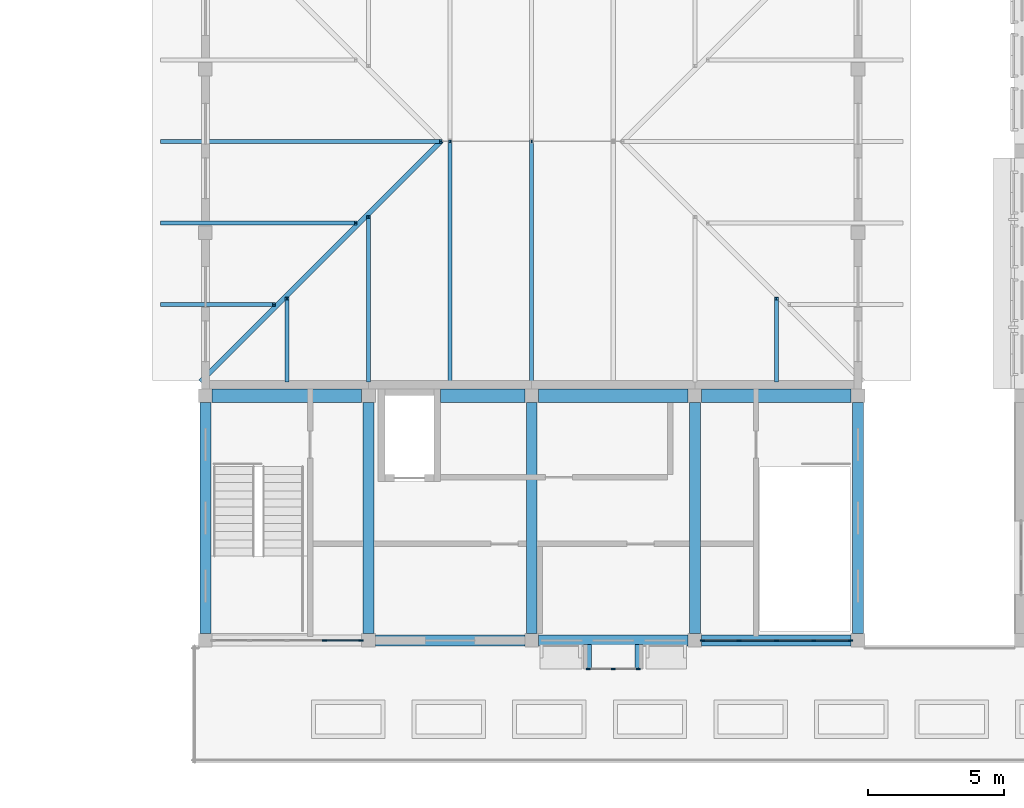
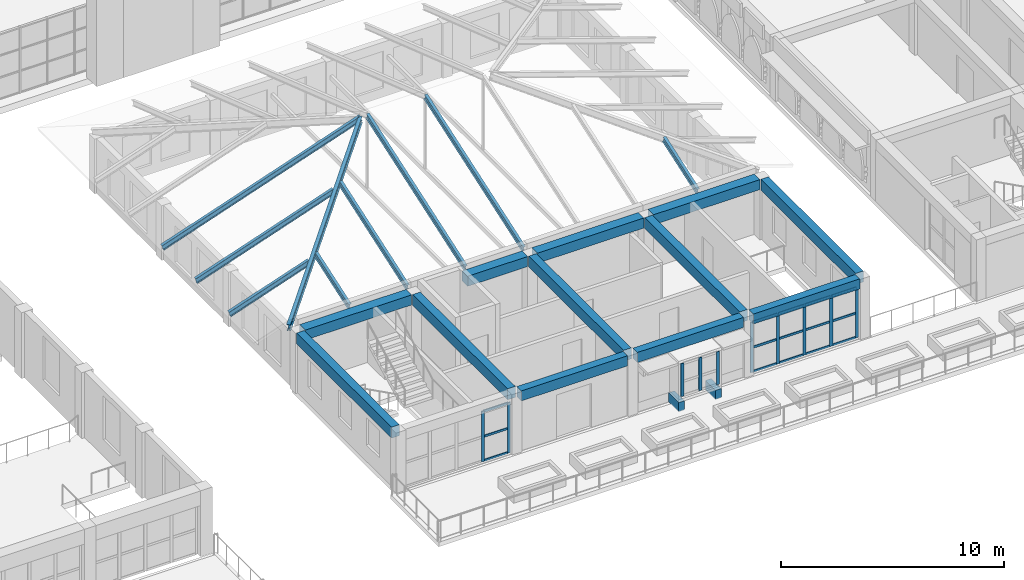
# One storey, part 8 of 82: 34 members, 14 beams, 3 elements without a shape of their own.
"""IFC4 building model written with IfcOpenShell, lengths in metres."""

from ifc_helpers import new_model, si_unit, direction, frame, origin, origin_2d, place, context, subcontext, project, spatial, rectangle, i_section, extrude, material, material_profile, profile_set, type_object, element, aggregate, save


model = new_model("IFC4")

# Units and contexts
model_context = context("Model", 3, precision=1e-05, world=origin(), true_north=direction((0.0, 1.0)))
body_context = subcontext(model_context, "Body", "Model", "MODEL_VIEW")
ifc_project = project(units=[si_unit("LENGTHUNIT", "METRE"), si_unit("AREAUNIT", "SQUARE_METRE"), si_unit("VOLUMEUNIT", "CUBIC_METRE"), si_unit("PLANEANGLEUNIT", "RADIAN"), si_unit("MASSUNIT", "GRAM", prefix="KILO")], contexts=[model_context])

# Site, building, storey
site_placement = place(None, origin())
site = spatial("IfcSite", under=ifc_project, at=site_placement, CompositionType="ELEMENT")
building_placement = place(site_placement, origin())
building = spatial("IfcBuilding", under=site, at=building_placement, Name="Elbe Cascade School", CompositionType="ELEMENT")
storey_placement = place(building_placement, frame((0.0, 0.0, 4.5)))
storey = spatial("IfcBuildingStorey", under=building, at=storey_placement, Name="L01", CompositionType="ELEMENT", Elevation=4.5)

# Beams
ifc_material_1 = material(Name="Concrete C30/37", Category="concrete")
ifc_material_profile_1 = material_profile(ifc_material_1, rectangle(XDim=0.39990234375, YDim=0.550048828125, at=origin_2d()), Name="RC 400x550")
ifc_profile_set_1 = profile_set([ifc_material_profile_1], Name="Concrete C30/37")
beam_type_1 = type_object("IfcBeamType", Name="Assembly hall beam RC 400x550", PredefinedType="BEAM", material=ifc_profile_set_1)
for number, where, z_axis, x_axis, name in (
    (1, (45.25, 6.0, 3.02490234375), (1.0, 0.0, 0.0), (0.0, 1.0, 0.0), "Assembly hall beam RC 400x550 B21"),
    (2, (51.25, 6.0, 3.02490234375), (1.0, 0.0, 0.0), (0.0, 1.0, 0.0), "Assembly hall beam RC 400x550 B21"),
    (3, (57.25, 6.0, 3.02490234375), (1.0, 0.0, 0.0), (0.0, 1.0, 0.0), "Assembly hall beam RC 400x550 B21"),
):
    element("IfcBeam", number, at=place(storey_placement, frame(where, z_axis=z_axis, x_axis=x_axis)), inside=storey, type_object=beam_type_1, Name=name, PredefinedType="BEAM", context=body_context, shape_type="SweptSolid", body=[
        extrude(rectangle(XDim=0.39990234375, YDim=0.550048828125, at=origin_2d()), origin(), (0.0, 0.0, 1.0), 5.5),
    ])
ifc_material_2 = material(Name="Concrete C30/37", Category="concrete")
ifc_material_profile_2 = material_profile(ifc_material_2, rectangle(XDim=0.39990234375, YDim=0.60009765625, at=origin_2d()), Name="RC 400x600")
ifc_profile_set_2 = profile_set([ifc_material_profile_2], Name="Concrete C30/37")
beam_type_2 = type_object("IfcBeamType", Name="Assembly hall beam RC 400x600", PredefinedType="BEAM", material=ifc_profile_set_2)
for number, where, z_axis, x_axis, name in (
    (4, (39.0, 6.25, 3.0), (0.0, 1.0, 0.0), (-1.0, 0.0, 0.0), "Assembly hall beam RC 400x600 B18"),
    (5, (45.0, 6.25, 3.0), (0.0, 1.0, 0.0), (-1.0, 0.0, 0.0), "Assembly hall beam RC 400x600 B18"),
    (6, (51.0, 6.25, 3.0), (0.0, 1.0, 0.0), (-1.0, 0.0, 0.0), "Assembly hall beam RC 400x600 B18"),
    (7, (57.0, 6.25, 3.0), (0.0, 1.0, 0.0), (-1.0, 0.0, 0.0), "Assembly hall beam RC 400x600 B18"),
    (8, (63.0, 6.25, 3.0), (0.0, 1.0, 0.0), (-1.0, 0.0, 0.0), "Assembly hall beam RC 400x600 B18"),
):
    element("IfcBeam", number, at=place(storey_placement, frame(where, z_axis=z_axis, x_axis=x_axis)), inside=storey, type_object=beam_type_2, Name=name, PredefinedType="BEAM", context=body_context, shape_type="SweptSolid", body=[
        extrude(rectangle(XDim=0.39990234375, YDim=0.60009765625, at=origin_2d()), origin(), (0.0, 0.0, 1.0), 8.5),
    ])
ifc_material_3 = material(Name="Concrete C30/37", Category="concrete")
ifc_material_profile_3 = material_profile(ifc_material_3, rectangle(XDim=0.5, YDim=0.550048828125, at=origin_2d()), Name="RC 500x550")
ifc_profile_set_3 = profile_set([ifc_material_profile_3], Name="Concrete C30/37")
beam_type_3 = type_object("IfcBeamType", Name="Assembly hall beam RC 500x550", PredefinedType="BEAM", material=ifc_profile_set_3)
beam_1_placement = place(storey_placement, frame((39.25, 15.0, 3.02490234375), z_axis=(1.0, 0.0, 0.0), x_axis=(0.0, 1.0, 0.0)))
element("IfcBeam", 9, at=beam_1_placement, inside=storey, type_object=beam_type_3, Name="Assembly hall beam RC 500x550 B22", PredefinedType="BEAM", context=body_context, shape_type="SweptSolid", body=[
    extrude(rectangle(XDim=0.5, YDim=0.550048828125, at=origin_2d()), origin(), (0.0, 0.0, 1.0), 5.5),
])
beam_2_placement = place(storey_placement, frame((47.64990234375, 15.0, 3.02490234375), z_axis=(1.0, 0.0, 0.0), x_axis=(0.0, 1.0, 0.0)))
element("IfcBeam", 10, at=beam_2_placement, inside=storey, type_object=beam_type_3, Name="Assembly hall beam RC 500x550 B22", PredefinedType="BEAM", context=body_context, shape_type="SweptSolid", body=[
    extrude(rectangle(XDim=0.5, YDim=0.550048828125, at=origin_2d()), origin(), (0.0, 0.0, 1.0), 3.10009765625),
])
for number, where, z_axis, x_axis, name in (
    (11, (51.25, 15.0, 3.02490234375), (1.0, 0.0, 0.0), (0.0, 1.0, 0.0), "Assembly hall beam RC 500x550 B22"),
    (12, (57.25, 15.0, 3.02490234375), (1.0, 0.0, 0.0), (0.0, 1.0, 0.0), "Assembly hall beam RC 500x550 B22"),
):
    element("IfcBeam", number, at=place(storey_placement, frame(where, z_axis=z_axis, x_axis=x_axis)), inside=storey, type_object=beam_type_3, Name=name, PredefinedType="BEAM", context=body_context, shape_type="SweptSolid", body=[
        extrude(rectangle(XDim=0.5, YDim=0.550048828125, at=origin_2d()), origin(), (0.0, 0.0, 1.0), 5.5),
    ])

# Curtain wall, members
ifc_material_4 = material(Name="Cafe curtain wall")
curtain_wall_type_1 = type_object("IfcCurtainWallType", Name="Cafe curtain wall", PredefinedType="NOTDEFINED", material=ifc_material_4)
curtain_wall_1_placement = place(storey_placement, origin())
curtain_wall_1 = element("IfcCurtainWall", 13, at=curtain_wall_1_placement, inside=storey, type_object=curtain_wall_type_1, Name="Curtain wall CW1 DI.L01.cw.s0", PredefinedType="NOTDEFINED")
ifc_material_5 = material(Name="Aluminium - bronze anodised", Category="aluminium")
ifc_material_profile_4 = material_profile(ifc_material_5, rectangle(XDim=0.06005859375, YDim=0.159912109375, at=origin_2d()), Name="RECT 60x160")
ifc_profile_set_4 = profile_set([ifc_material_profile_4], Name="Aluminium - bronze anodised")
member_type_1 = type_object("IfcMemberType", Name="Cafe curtain wall mullion 60 x 160", PredefinedType="MULLION", material=ifc_profile_set_4)
member_1_placement = place(storey_placement, frame((43.375, 6.0, 0.0), z_axis=(0.0, 0.0, 1.0), x_axis=(0.0, 1.0, 0.0)))
member_1 = element("IfcMember", 14, at=member_1_placement, type_object=member_type_1, Name="CW1 mullion 4", PredefinedType="MULLION", context=body_context, shape_type="SweptSolid", body=[
    extrude(rectangle(XDim=0.06005859375, YDim=0.159912109375, at=origin_2d()), origin(), (0.0, 0.0, 1.0), 2.75),
])
member_2_placement = place(storey_placement, frame((44.719970703125, 6.0, 0.0), z_axis=(0.0, 0.0, 1.0), x_axis=(0.0, 1.0, 0.0)))
member_2 = element("IfcMember", 15, at=member_2_placement, type_object=member_type_1, Name="CW1 mullion 5", PredefinedType="MULLION", context=body_context, shape_type="SweptSolid", body=[
    extrude(rectangle(XDim=0.06005859375, YDim=0.159912109375, at=origin_2d()), origin(), (0.0, 0.0, 1.0), 2.75),
])

curtain_wall_2_placement = place(storey_placement, origin())
curtain_wall_2 = element("IfcCurtainWall", 16, at=curtain_wall_2_placement, inside=storey, type_object=curtain_wall_type_1, Name="Curtain wall CW1 DI.L01.cw.s3", PredefinedType="NOTDEFINED")
member_3_placement = place(storey_placement, frame((57.280029296875, 6.0, 0.0), z_axis=(0.0, 0.0, 1.0), x_axis=(0.0, 1.0, 0.0)))
member_3 = element("IfcMember", 17, at=member_3_placement, type_object=member_type_1, Name="CW1 mullion 1", PredefinedType="MULLION", context=body_context, shape_type="SweptSolid", body=[
    extrude(rectangle(XDim=0.06005859375, YDim=0.159912109375, at=origin_2d()), origin(), (0.0, 0.0, 1.0), 2.75),
])
member_4_placement = place(storey_placement, frame((58.625, 6.0, 0.0), z_axis=(0.0, 0.0, 1.0), x_axis=(0.0, 1.0, 0.0)))
member_4 = element("IfcMember", 18, at=member_4_placement, type_object=member_type_1, Name="CW1 mullion 2", PredefinedType="MULLION", context=body_context, shape_type="SweptSolid", body=[
    extrude(rectangle(XDim=0.06005859375, YDim=0.159912109375, at=origin_2d()), origin(), (0.0, 0.0, 1.0), 2.75),
])
member_5_placement = place(storey_placement, frame((60.0, 6.0, 0.0), z_axis=(0.0, 0.0, 1.0), x_axis=(0.0, 1.0, 0.0)))
member_5 = element("IfcMember", 19, at=member_5_placement, type_object=member_type_1, Name="CW1 mullion 3", PredefinedType="MULLION", context=body_context, shape_type="SweptSolid", body=[
    extrude(rectangle(XDim=0.06005859375, YDim=0.159912109375, at=origin_2d()), origin(), (0.0, 0.0, 1.0), 2.75),
])
member_6_placement = place(storey_placement, frame((61.375, 6.0, 0.0), z_axis=(0.0, 0.0, 1.0), x_axis=(0.0, 1.0, 0.0)))
member_6 = element("IfcMember", 20, at=member_6_placement, type_object=member_type_1, Name="CW1 mullion 4", PredefinedType="MULLION", context=body_context, shape_type="SweptSolid", body=[
    extrude(rectangle(XDim=0.06005859375, YDim=0.159912109375, at=origin_2d()), origin(), (0.0, 0.0, 1.0), 2.75),
])
member_7_placement = place(storey_placement, frame((62.719970703125, 6.0, 0.0), z_axis=(0.0, 0.0, 1.0), x_axis=(0.0, 1.0, 0.0)))
member_7 = element("IfcMember", 21, at=member_7_placement, type_object=member_type_1, Name="CW1 mullion 5", PredefinedType="MULLION", context=body_context, shape_type="SweptSolid", body=[
    extrude(rectangle(XDim=0.06005859375, YDim=0.159912109375, at=origin_2d()), origin(), (0.0, 0.0, 1.0), 2.75),
])

# Member
ifc_material_6 = material(Name="Aluminium - bronze anodised", Category="aluminium")
ifc_material_profile_5 = material_profile(ifc_material_6, rectangle(XDim=0.06005859375, YDim=0.1201171875, at=origin_2d()), Name="RECT 60x120")
ifc_profile_set_5 = profile_set([ifc_material_profile_5], Name="Aluminium - bronze anodised")
member_type_2 = type_object("IfcMemberType", Name="Cafe curtain wall transom 60 x 120", PredefinedType="USERDEFINED", material=ifc_profile_set_5)
member_8_placement = place(storey_placement, frame((43.405029296875, 6.0, 0.030029296875), z_axis=(1.0, 0.0, 0.0), x_axis=(0.0, 1.0, 0.0)))
member_8 = element("IfcMember", 22, at=member_8_placement, type_object=member_type_2, Name="CW1 transom 4.1", ObjectType="TRANSOM", PredefinedType="USERDEFINED", context=body_context, shape_type="SweptSolid", body=[
    extrude(rectangle(XDim=0.06005859375, YDim=0.1201171875, at=origin_2d()), origin(), (0.0, 0.0, 1.0), 1.284912109375),
])

member_9_placement = place(storey_placement, frame((43.405029296875, 6.0, 1.35009765625), z_axis=(1.0, 0.0, 0.0), x_axis=(0.0, 1.0, 0.0)))
member_9 = element("IfcMember", 23, at=member_9_placement, type_object=member_type_2, Name="CW1 transom 4.2", ObjectType="TRANSOM", PredefinedType="USERDEFINED", context=body_context, shape_type="SweptSolid", body=[
    extrude(rectangle(XDim=0.06005859375, YDim=0.1201171875, at=origin_2d()), origin(), (0.0, 0.0, 1.0), 1.284912109375),
])

member_10_placement = place(storey_placement, frame((43.405029296875, 6.0, 2.719970703125), z_axis=(1.0, 0.0, 0.0), x_axis=(0.0, 1.0, 0.0)))
member_10 = element("IfcMember", 24, at=member_10_placement, type_object=member_type_2, Name="CW1 transom 4.3", ObjectType="TRANSOM", PredefinedType="USERDEFINED", context=body_context, shape_type="SweptSolid", body=[
    extrude(rectangle(XDim=0.06005859375, YDim=0.1201171875, at=origin_2d()), origin(), (0.0, 0.0, 1.0), 1.284912109375),
])

aggregate(curtain_wall_1, [member_1, member_2, member_8, member_9, member_10])

member_11_placement = place(storey_placement, frame((57.31005859375, 6.0, 0.030029296875), z_axis=(1.0, 0.0, 0.0), x_axis=(0.0, 1.0, 0.0)))
member_11 = element("IfcMember", 25, at=member_11_placement, type_object=member_type_2, Name="CW1 transom 1.1", ObjectType="TRANSOM", PredefinedType="USERDEFINED", context=body_context, shape_type="SweptSolid", body=[
    extrude(rectangle(XDim=0.06005859375, YDim=0.1201171875, at=origin_2d()), origin(), (0.0, 0.0, 1.0), 1.284912109375),
])

member_12_placement = place(storey_placement, frame((57.31005859375, 6.0, 1.35009765625), z_axis=(1.0, 0.0, 0.0), x_axis=(0.0, 1.0, 0.0)))
member_12 = element("IfcMember", 26, at=member_12_placement, type_object=member_type_2, Name="CW1 transom 1.2", ObjectType="TRANSOM", PredefinedType="USERDEFINED", context=body_context, shape_type="SweptSolid", body=[
    extrude(rectangle(XDim=0.06005859375, YDim=0.1201171875, at=origin_2d()), origin(), (0.0, 0.0, 1.0), 1.284912109375),
])

member_13_placement = place(storey_placement, frame((57.31005859375, 6.0, 2.719970703125), z_axis=(1.0, 0.0, 0.0), x_axis=(0.0, 1.0, 0.0)))
member_13 = element("IfcMember", 27, at=member_13_placement, type_object=member_type_2, Name="CW1 transom 1.3", ObjectType="TRANSOM", PredefinedType="USERDEFINED", context=body_context, shape_type="SweptSolid", body=[
    extrude(rectangle(XDim=0.06005859375, YDim=0.1201171875, at=origin_2d()), origin(), (0.0, 0.0, 1.0), 1.284912109375),
])

member_14_placement = place(storey_placement, frame((58.655029296875, 6.0, 0.030029296875), z_axis=(1.0, 0.0, 0.0), x_axis=(0.0, 1.0, 0.0)))
member_14 = element("IfcMember", 28, at=member_14_placement, type_object=member_type_2, Name="CW1 transom 2.1", ObjectType="TRANSOM", PredefinedType="USERDEFINED", context=body_context, shape_type="SweptSolid", body=[
    extrude(rectangle(XDim=0.06005859375, YDim=0.1201171875, at=origin_2d()), origin(), (0.0, 0.0, 1.0), 1.31494140625),
])

member_15_placement = place(storey_placement, frame((58.655029296875, 6.0, 1.35009765625), z_axis=(1.0, 0.0, 0.0), x_axis=(0.0, 1.0, 0.0)))
member_15 = element("IfcMember", 29, at=member_15_placement, type_object=member_type_2, Name="CW1 transom 2.2", ObjectType="TRANSOM", PredefinedType="USERDEFINED", context=body_context, shape_type="SweptSolid", body=[
    extrude(rectangle(XDim=0.06005859375, YDim=0.1201171875, at=origin_2d()), origin(), (0.0, 0.0, 1.0), 1.31494140625),
])

member_16_placement = place(storey_placement, frame((58.655029296875, 6.0, 2.719970703125), z_axis=(1.0, 0.0, 0.0), x_axis=(0.0, 1.0, 0.0)))
member_16 = element("IfcMember", 30, at=member_16_placement, type_object=member_type_2, Name="CW1 transom 2.3", ObjectType="TRANSOM", PredefinedType="USERDEFINED", context=body_context, shape_type="SweptSolid", body=[
    extrude(rectangle(XDim=0.06005859375, YDim=0.1201171875, at=origin_2d()), origin(), (0.0, 0.0, 1.0), 1.31494140625),
])

member_17_placement = place(storey_placement, frame((60.030029296875, 6.0, 0.030029296875), z_axis=(1.0, 0.0, 0.0), x_axis=(0.0, 1.0, 0.0)))
member_17 = element("IfcMember", 31, at=member_17_placement, type_object=member_type_2, Name="CW1 transom 3.1", ObjectType="TRANSOM", PredefinedType="USERDEFINED", context=body_context, shape_type="SweptSolid", body=[
    extrude(rectangle(XDim=0.06005859375, YDim=0.1201171875, at=origin_2d()), origin(), (0.0, 0.0, 1.0), 1.31494140625),
])

member_18_placement = place(storey_placement, frame((60.030029296875, 6.0, 1.35009765625), z_axis=(1.0, 0.0, 0.0), x_axis=(0.0, 1.0, 0.0)))
member_18 = element("IfcMember", 32, at=member_18_placement, type_object=member_type_2, Name="CW1 transom 3.2", ObjectType="TRANSOM", PredefinedType="USERDEFINED", context=body_context, shape_type="SweptSolid", body=[
    extrude(rectangle(XDim=0.06005859375, YDim=0.1201171875, at=origin_2d()), origin(), (0.0, 0.0, 1.0), 1.31494140625),
])

member_19_placement = place(storey_placement, frame((60.030029296875, 6.0, 2.719970703125), z_axis=(1.0, 0.0, 0.0), x_axis=(0.0, 1.0, 0.0)))
member_19 = element("IfcMember", 33, at=member_19_placement, type_object=member_type_2, Name="CW1 transom 3.3", ObjectType="TRANSOM", PredefinedType="USERDEFINED", context=body_context, shape_type="SweptSolid", body=[
    extrude(rectangle(XDim=0.06005859375, YDim=0.1201171875, at=origin_2d()), origin(), (0.0, 0.0, 1.0), 1.31494140625),
])

member_20_placement = place(storey_placement, frame((61.405029296875, 6.0, 0.030029296875), z_axis=(1.0, 0.0, 0.0), x_axis=(0.0, 1.0, 0.0)))
member_20 = element("IfcMember", 34, at=member_20_placement, type_object=member_type_2, Name="CW1 transom 4.1", ObjectType="TRANSOM", PredefinedType="USERDEFINED", context=body_context, shape_type="SweptSolid", body=[
    extrude(rectangle(XDim=0.06005859375, YDim=0.1201171875, at=origin_2d()), origin(), (0.0, 0.0, 1.0), 1.284912109375),
])

member_21_placement = place(storey_placement, frame((61.405029296875, 6.0, 1.35009765625), z_axis=(1.0, 0.0, 0.0), x_axis=(0.0, 1.0, 0.0)))
member_21 = element("IfcMember", 35, at=member_21_placement, type_object=member_type_2, Name="CW1 transom 4.2", ObjectType="TRANSOM", PredefinedType="USERDEFINED", context=body_context, shape_type="SweptSolid", body=[
    extrude(rectangle(XDim=0.06005859375, YDim=0.1201171875, at=origin_2d()), origin(), (0.0, 0.0, 1.0), 1.284912109375),
])

member_22_placement = place(storey_placement, frame((61.405029296875, 6.0, 2.719970703125), z_axis=(1.0, 0.0, 0.0), x_axis=(0.0, 1.0, 0.0)))
member_22 = element("IfcMember", 36, at=member_22_placement, type_object=member_type_2, Name="CW1 transom 4.3", ObjectType="TRANSOM", PredefinedType="USERDEFINED", context=body_context, shape_type="SweptSolid", body=[
    extrude(rectangle(XDim=0.06005859375, YDim=0.1201171875, at=origin_2d()), origin(), (0.0, 0.0, 1.0), 1.284912109375),
])

aggregate(curtain_wall_2, [member_3, member_4, member_5, member_6, member_7, member_11, member_12, member_13, member_14, member_15, member_16, member_17, member_18, member_19, member_20, member_21, member_22])

# Beams
ifc_material_7 = material(Name="Concrete C30/37", Category="concrete")
ifc_material_profile_6 = material_profile(ifc_material_7, rectangle(XDim=0.300048828125, YDim=0.5, at=origin_2d()), Name="RC 300x500")
ifc_profile_set_6 = profile_set([ifc_material_profile_6], Name="Concrete C30/37")
beam_type_4 = type_object("IfcBeamType", Name="Cafe jharokha corbel RC 300x500", PredefinedType="USERDEFINED", material=ifc_profile_set_6)
for number, where, z_axis, x_axis, name in (
    (37, (53.050048828125, 5.85009765625, 0.25), (0.0, -1.0, 0.0), (1.0, 0.0, 0.0), "Cafe jharokha corbel RC 300x500 B28"),
    (38, (54.949951171875, 5.85009765625, 0.25), (0.0, -1.0, 0.0), (1.0, 0.0, 0.0), "Cafe jharokha corbel RC 300x500 B28"),
):
    element("IfcBeam", number, at=place(storey_placement, frame(where, z_axis=z_axis, x_axis=x_axis)), inside=storey, type_object=beam_type_4, Name=name, ObjectType="CORBEL", PredefinedType="USERDEFINED", context=body_context, shape_type="SweptSolid", body=[
        extrude(rectangle(XDim=0.300048828125, YDim=0.5, at=origin_2d()), origin(), (0.0, 0.0, 1.0), 0.900146484375),
    ])

# Curtain wall, members
ifc_material_8 = material(Name="Cafe jharokha curtain wall")
curtain_wall_type_2 = type_object("IfcCurtainWallType", Name="Cafe jharokha curtain wall", PredefinedType="NOTDEFINED", material=ifc_material_8)
curtain_wall_3_placement = place(storey_placement, origin())
curtain_wall_3 = element("IfcCurtainWall", 39, at=curtain_wall_3_placement, inside=storey, type_object=curtain_wall_type_2, Name="Curtain wall CW7 jharokha", PredefinedType="NOTDEFINED")
ifc_material_9 = material(Name="Aluminium - bronze anodised", Category="aluminium")
ifc_material_profile_7 = material_profile(ifc_material_9, rectangle(XDim=0.06005859375, YDim=0.159912109375, at=origin_2d()), Name="RECT 60x160")
ifc_profile_set_7 = profile_set([ifc_material_profile_7], Name="Aluminium - bronze anodised")
member_type_3 = type_object("IfcMemberType", Name="Cafe jharokha mullion 60 x 160", PredefinedType="MULLION", material=ifc_profile_set_7)
member_23_placement = place(storey_placement, frame((53.080078125, 4.949951171875, 0.800048828125), z_axis=(0.0, 0.0, 1.0), x_axis=(0.0, 1.0, 0.0)))
member_23 = element("IfcMember", 40, at=member_23_placement, type_object=member_type_3, Name="CW7 mullion 1", PredefinedType="MULLION", context=body_context, shape_type="SweptSolid", body=[
    extrude(rectangle(XDim=0.06005859375, YDim=0.159912109375, at=origin_2d()), origin(), (0.0, 0.0, 1.0), 1.800048828125),
])
member_24_placement = place(storey_placement, frame((54.0, 4.949951171875, 0.800048828125), z_axis=(0.0, 0.0, 1.0), x_axis=(0.0, 1.0, 0.0)))
member_24 = element("IfcMember", 41, at=member_24_placement, type_object=member_type_3, Name="CW7 mullion 2", PredefinedType="MULLION", context=body_context, shape_type="SweptSolid", body=[
    extrude(rectangle(XDim=0.06005859375, YDim=0.159912109375, at=origin_2d()), origin(), (0.0, 0.0, 1.0), 1.800048828125),
])
member_25_placement = place(storey_placement, frame((54.919921875, 4.949951171875, 0.800048828125), z_axis=(0.0, 0.0, 1.0), x_axis=(0.0, 1.0, 0.0)))
member_25 = element("IfcMember", 42, at=member_25_placement, type_object=member_type_3, Name="CW7 mullion 3", PredefinedType="MULLION", context=body_context, shape_type="SweptSolid", body=[
    extrude(rectangle(XDim=0.06005859375, YDim=0.159912109375, at=origin_2d()), origin(), (0.0, 0.0, 1.0), 1.800048828125),
])
aggregate(curtain_wall_3, [member_23, member_24, member_25])

# Members
ifc_material_10 = material(Name="Steel S355J2", Category="steel")
ifc_material_profile_8 = material_profile(ifc_material_10, i_section(OverallWidth=0.179931640625, OverallDepth=0.39990234375, WebThickness=0.008544921875, FlangeThickness=0.013427734375, FilletRadius=0.02099609375, at=origin_2d()), Name="IPE 400")
ifc_profile_set_8 = profile_set([ifc_material_profile_8], Name="Steel S355J2")
member_type_4 = type_object("IfcMemberType", Name="Dining hip rafter IPE 400", PredefinedType="RAFTER", material=ifc_profile_set_8)
member_26_placement = place(storey_placement, frame((38.85009765625, 15.550048828125, 3.08642578125), z_axis=(0.687406242097, 0.687425313406, 0.234348238345), x_axis=(-0.707116589921, 0.707096972316, 0.0)))
element("IfcMember", 43, at=member_26_placement, inside=storey, type_object=member_type_4, Name="Dining hip rafter IPE 400 M19", PredefinedType="RAFTER", context=body_context, shape_type="SweptSolid", body=[
    extrude(i_section(OverallWidth=0.179931640625, OverallDepth=0.39990234375, WebThickness=0.008544921875, FlangeThickness=0.013427734375, FilletRadius=0.02099609375, at=origin_2d()), origin(), (0.0, 0.0, 1.0), 12.801513671875),
])
ifc_material_11 = material(Name="Steel S355J2", Category="steel")
ifc_material_profile_9 = material_profile(ifc_material_11, i_section(OverallWidth=0.14990234375, OverallDepth=0.300048828125, WebThickness=0.007080078125, FlangeThickness=0.0107421875, FilletRadius=0.014892578125, at=origin_2d()), Name="IPE 300")
ifc_profile_set_9 = profile_set([ifc_material_profile_9], Name="Steel S355J2")
member_type_5 = type_object("IfcMemberType", Name="Dining roof rafter IPE 300", PredefinedType="RAFTER", material=ifc_profile_set_9)
member_27_placement = place(storey_placement, frame((42.0, 15.550048828125, 3.1513671875), z_axis=(0.0, 0.946505412272, 0.322687936774), x_axis=(-1.0, 0.0, 0.0)))
element("IfcMember", 44, at=member_27_placement, inside=storey, type_object=member_type_5, Name="Dining roof rafter IPE 300 M18", PredefinedType="RAFTER", context=body_context, shape_type="SweptSolid", body=[
    extrude(i_section(OverallWidth=0.14990234375, OverallDepth=0.300048828125, WebThickness=0.007080078125, FlangeThickness=0.0107421875, FilletRadius=0.014892578125, at=origin_2d()), origin(), (0.0, 0.0, 1.0), 3.193603515625),
])
member_28_placement = place(storey_placement, frame((45.0, 15.550048828125, 3.1513671875), z_axis=(0.0, 0.946508856553, 0.322677833865), x_axis=(-1.0, 0.0, 0.0)))
element("IfcMember", 45, at=member_28_placement, inside=storey, type_object=member_type_5, Name="Dining roof rafter IPE 300 M18", PredefinedType="RAFTER", context=body_context, shape_type="SweptSolid", body=[
    extrude(i_section(OverallWidth=0.14990234375, OverallDepth=0.300048828125, WebThickness=0.007080078125, FlangeThickness=0.0107421875, FilletRadius=0.014892578125, at=origin_2d()), origin(), (0.0, 0.0, 1.0), 6.363037109375),
])
for number, where, z_axis, x_axis, name in (
    (46, (48.0, 15.550048828125, 3.1513671875), (0.0, 0.946510734989, 0.322672323805), (-1.0, 0.0, 0.0), "Dining roof rafter IPE 300 M18"),
    (47, (51.0, 15.550048828125, 3.1513671875), (0.0, 0.946510734989, 0.322672323805), (-1.0, 0.0, 0.0), "Dining roof rafter IPE 300 M18"),
):
    element("IfcMember", number, at=place(storey_placement, frame(where, z_axis=z_axis, x_axis=x_axis)), inside=storey, type_object=member_type_5, Name=name, PredefinedType="RAFTER", context=body_context, shape_type="SweptSolid", body=[
        extrude(i_section(OverallWidth=0.14990234375, OverallDepth=0.300048828125, WebThickness=0.007080078125, FlangeThickness=0.0107421875, FilletRadius=0.014892578125, at=origin_2d()), origin(), (0.0, 0.0, 1.0), 9.29736328125),
    ])
member_29_placement = place(storey_placement, frame((60.0, 15.550048828125, 3.1513671875), z_axis=(0.0, 0.946505412272, 0.322687936774), x_axis=(-1.0, 0.0, 0.0)))
element("IfcMember", 48, at=member_29_placement, inside=storey, type_object=member_type_5, Name="Dining roof rafter IPE 300 M18", PredefinedType="RAFTER", context=body_context, shape_type="SweptSolid", body=[
    extrude(i_section(OverallWidth=0.14990234375, OverallDepth=0.300048828125, WebThickness=0.007080078125, FlangeThickness=0.0107421875, FilletRadius=0.014892578125, at=origin_2d()), origin(), (0.0, 0.0, 1.0), 3.193603515625),
])
member_30_placement = place(storey_placement, frame((37.39990234375, 18.35009765625, 2.656982421875), z_axis=(0.946509021013, 0.0, 0.322677351452), x_axis=(0.0, 1.0, 0.0)))
element("IfcMember", 49, at=member_30_placement, inside=storey, type_object=member_type_5, Name="Dining roof rafter IPE 300 M18", PredefinedType="RAFTER", context=body_context, shape_type="SweptSolid", body=[
    extrude(i_section(OverallWidth=0.14990234375, OverallDepth=0.300048828125, WebThickness=0.007080078125, FlangeThickness=0.0107421875, FilletRadius=0.014892578125, at=origin_2d()), origin(), (0.0, 0.0, 1.0), 4.355712890625),
])
member_31_placement = place(storey_placement, frame((37.39990234375, 21.35009765625, 2.656982421875), z_axis=(0.946510413369, 0.0, 0.322673267228), x_axis=(0.0, 1.0, 0.0)))
element("IfcMember", 50, at=member_31_placement, inside=storey, type_object=member_type_5, Name="Dining roof rafter IPE 300 M18", PredefinedType="RAFTER", context=body_context, shape_type="SweptSolid", body=[
    extrude(i_section(OverallWidth=0.14990234375, OverallDepth=0.300048828125, WebThickness=0.007080078125, FlangeThickness=0.0107421875, FilletRadius=0.014892578125, at=origin_2d()), origin(), (0.0, 0.0, 1.0), 7.525390625),
])
member_32_placement = place(storey_placement, frame((37.39990234375, 24.35009765625, 2.656982421875), z_axis=(0.946508310324, 0.0, 0.32267943611), x_axis=(0.0, 1.0, 0.0)))
element("IfcMember", 51, at=member_32_placement, inside=storey, type_object=member_type_5, Name="Dining roof rafter IPE 300 M18", PredefinedType="RAFTER", context=body_context, shape_type="SweptSolid", body=[
    extrude(i_section(OverallWidth=0.14990234375, OverallDepth=0.300048828125, WebThickness=0.007080078125, FlangeThickness=0.0107421875, FilletRadius=0.014892578125, at=origin_2d()), origin(), (0.0, 0.0, 1.0), 10.829345703125),
])

save(model, "model.ifc")
